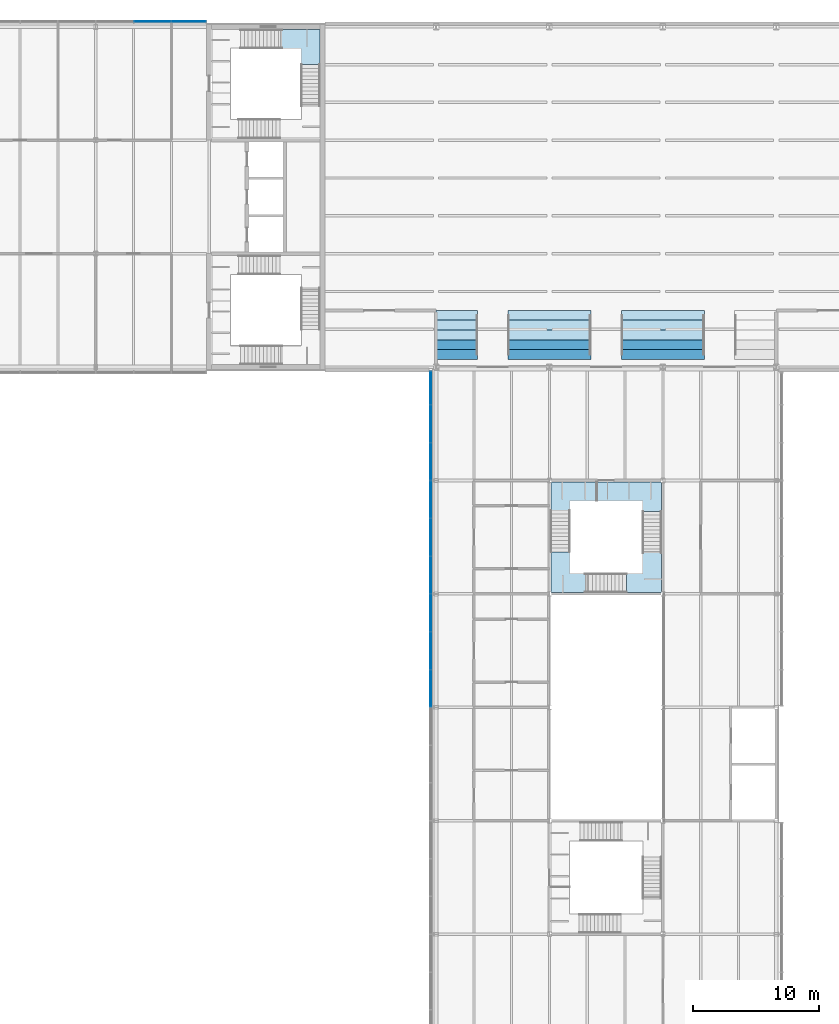
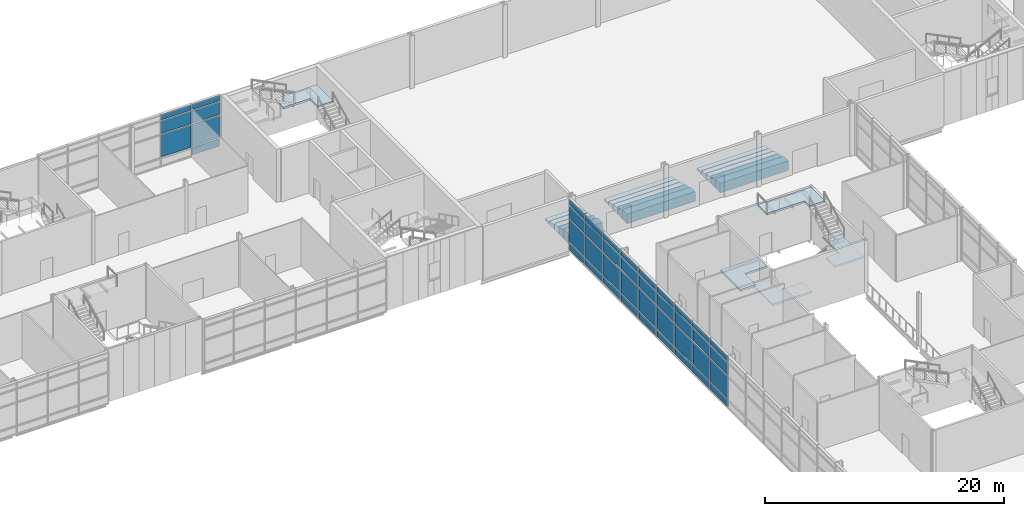
# One storey, part 29 of 52: 43 plates, 20 slabs, 4 elements without a shape of their own.
"""IFC4 building model written with IfcOpenShell, lengths in metres."""

import ifcopenshell
import ifcopenshell.guid

model = None  # the IFC model being written
_history = None  # IfcOwnerHistory: only IFC2X3 demands one
_inside = {}  # id of a spatial element -> (the spatial element, [elements in it])
_under = {}  # id of a project, library or spatial element -> (it, [spatial elements below it])
_declared = {}  # id of a project -> (the project, [libraries it declares])
_typed = {}  # id of a type object -> (the type object, [elements of that type])
_made_of = {}  # id of a material, layer set ... -> (it, [elements and type objects made of it])


def new_model(schema):
    """Start an empty IFC model of exactly this schema.

    Asked for "IFC4X3", IfcOpenShell would pick the latest addendum, in which some entities
    have other attributes; the version numbers below select the first issue.
    IFC2X3 requires an IfcOwnerHistory on every rooted entity: one is made here for all.
    """
    global model, _history
    if schema == "IFC4X3":
        model = ifcopenshell.file(schema_version=(4, 3, 0, 0))
    else:
        model = ifcopenshell.file(schema=schema)
    _inside.clear()
    _under.clear()
    _declared.clear()
    _typed.clear()
    _made_of.clear()
    _history = None
    if model.schema == "IFC2X3":
        org = make("IfcOrganization", Name="unknown")
        user = make(
            "IfcPersonAndOrganization",
            ThePerson=make("IfcPerson", FamilyName="unknown"),
            TheOrganization=org,
        )
        app = make(
            "IfcApplication",
            ApplicationDeveloper=org,
            Version="unknown",
            ApplicationFullName="unknown",
            ApplicationIdentifier="unknown",
        )
        _history = make(
            "IfcOwnerHistory",
            OwningUser=user,
            OwningApplication=app,
            ChangeAction="ADDED",
            CreationDate=0,
        )
    return model


def make(cls, **values):
    """One entity of the class cls with the attributes given. An attribute that is None is left unset."""
    return model.create_entity(
        cls, **{name: value for name, value in values.items() if value is not None}
    )


def rooted(cls, **values):
    """An entity with a GlobalId (a new one), such as an element, a storey or a relation."""
    return make(cls, GlobalId=ifcopenshell.guid.new(), OwnerHistory=_history, **values)


def si_unit(unit_type, name, prefix=None):
    """IfcSIUnit, for example si_unit("LENGTHUNIT", "METRE", prefix="MILLI")."""
    return make("IfcSIUnit", UnitType=unit_type, Prefix=prefix, Name=name)


def assignment(units):
    """IfcUnitAssignment: the units of a project."""
    return None if units is None else make("IfcUnitAssignment", Units=units)


def point(xyz):
    """IfcCartesianPoint."""
    return None if xyz is None else make("IfcCartesianPoint", Coordinates=xyz)


def direction(xyz):
    """IfcDirection."""
    return None if xyz is None else make("IfcDirection", DirectionRatios=xyz)


def frame(location, z_axis=None, x_axis=None):
    """IfcAxis2Placement3D, a coordinate frame: its origin and axes. An axis left out is left unset."""
    return make(
        "IfcAxis2Placement3D",
        Location=point(location),
        Axis=direction(z_axis),
        RefDirection=direction(x_axis),
    )


def frame_2d(location, x_axis=None):
    """IfcAxis2Placement2D, a coordinate frame in the plane: its origin and x axis."""
    return make(
        "IfcAxis2Placement2D", Location=point(location), RefDirection=direction(x_axis)
    )


def origin():
    """The frame at (0, 0, 0) with its axes left unset."""
    return frame((0.0, 0.0, 0.0))


def origin_2d():
    """The frame at (0, 0) in the plane with its x axis left unset."""
    return frame_2d((0.0, 0.0))


def place(relative_to, where):
    """IfcLocalPlacement: puts the frame where relative to a parent placement (None: the world)."""
    return make(
        "IfcLocalPlacement", PlacementRelTo=relative_to, RelativePlacement=where
    )


def context(
    kind, dimensions, precision=None, world=None, true_north=None, identifier=None
):
    """IfcGeometricRepresentationContext, for example the 3D "Model" context."""
    return make(
        "IfcGeometricRepresentationContext",
        ContextIdentifier=identifier,
        ContextType=kind,
        CoordinateSpaceDimension=dimensions,
        Precision=precision,
        WorldCoordinateSystem=world,
        TrueNorth=true_north,
    )


def subcontext(parent, identifier, kind, view, scale=None):
    """IfcGeometricRepresentationSubContext, for example "Body" below "Model"."""
    return make(
        "IfcGeometricRepresentationSubContext",
        ContextIdentifier=identifier,
        ContextType=kind,
        ParentContext=parent,
        TargetScale=scale,
        TargetView=view,
    )


def project(units=None, contexts=None):
    """IfcProject with its units and contexts."""
    return rooted(
        "IfcProject",
        Name="project",
        RepresentationContexts=contexts,
        UnitsInContext=assignment(units),
    )


def spatial(cls, under=None, at=None, **own):
    """A site, building, storey or space (cls), placed at a placement, below another one or the project."""
    s = rooted(cls, ObjectPlacement=at, **own)
    if under is not None:
        _under.setdefault(under.id(), (under, []))[1].append(s)
    return s


def polyline(points):
    """IfcPolyline through the points."""
    return make("IfcPolyline", Points=[point(p) for p in points])


def profile(cls, at=None, kind="AREA", **sizes):
    """A parametric profile (cls). Its sizes go by their IFC names, for example OverallWidth=200.0."""
    return make(cls, ProfileType=kind, Position=at, **sizes)


def rectangle(**sizes):
    """IfcRectangleProfileDef."""
    return profile("IfcRectangleProfileDef", **sizes)


def outline(outer, holes=None, kind="AREA"):
    """IfcArbitraryClosedProfileDef: a profile drawn as a closed curve; with holes, ...WithVoids."""
    if holes is None:
        return make("IfcArbitraryClosedProfileDef", ProfileType=kind, OuterCurve=outer)
    return make(
        "IfcArbitraryProfileDefWithVoids",
        ProfileType=kind,
        OuterCurve=outer,
        InnerCurves=holes,
    )


def extrude(swept, where, along, depth):
    """IfcExtrudedAreaSolid: the profile swept, set in the frame where, extruded along a direction by depth."""
    return make(
        "IfcExtrudedAreaSolid",
        SweptArea=swept,
        Position=where,
        ExtrudedDirection=direction(along),
        Depth=depth,
    )


def shape(context_of_items, identifier, shape_type, items):
    """IfcShapeRepresentation: the items that make up one representation, for example the "Body"."""
    return make(
        "IfcShapeRepresentation",
        ContextOfItems=context_of_items,
        RepresentationIdentifier=identifier,
        RepresentationType=shape_type,
        Items=items,
    )


def material(Name=None, Category=None):
    """IfcMaterial."""
    return make("IfcMaterial", Name=Name, Category=Category)


def layer(
    of_material, thickness, ventilated=None, Name=None, Category=None, Priority=None
):
    """IfcMaterialLayer: one layer of a wall or slab, of a material (None: an air gap)."""
    return make(
        "IfcMaterialLayer",
        Material=of_material,
        LayerThickness=thickness,
        IsVentilated=ventilated,
        Name=Name,
        Category=Category,
        Priority=Priority,
    )


def layer_set(layers, Name=None):
    """IfcMaterialLayerSet."""
    return make("IfcMaterialLayerSet", MaterialLayers=layers, LayerSetName=Name)


def made_of(thing, what):
    """Note that an element or type object is made of a material, layer set ...; save() writes the relation."""
    if what is not None:
        _made_of.setdefault(what.id(), (what, []))[1].append(thing)
    return thing


def type_object(cls, material=None, **own):
    """A type object (cls), such as IfcWallType, which elements share."""
    return made_of(rooted(cls, **own), material)


def element(
    cls,
    number,
    at=None,
    inside=None,
    cuts=None,
    type_object=None,
    material=None,
    context=None,
    identifier="Body",
    shape_type=None,
    held_by="IfcProductDefinitionShape",
    body=None,
    shapes=None,
    **own,
):
    """One element of the class cls, such as IfcWall. Its Tag is "e" and its number.

    at: its placement. inside: the storey or other place that contains it. cuts: it is an
    opening in that element (IfcRelVoidsElement). A single representation is given by context,
    identifier, shape_type and body (its items); several are given by shapes. held_by: the class
    of the entity that holds the representations. save() writes the other relations.
    """
    e = rooted(cls, Tag="e%d" % number, ObjectPlacement=at, **own)
    if body is not None:
        shapes = [shape(context, identifier, shape_type, body)]
    if shapes is not None:
        e.Representation = make(held_by, Representations=shapes)
    if inside is not None:
        _inside.setdefault(inside.id(), (inside, []))[1].append(e)
    if cuts is not None:
        rooted(
            "IfcRelVoidsElement", RelatingBuildingElement=cuts, RelatedOpeningElement=e
        )
    if type_object is not None:
        _typed.setdefault(type_object.id(), (type_object, []))[1].append(e)
    return made_of(e, material)


def aggregate(whole, parts):
    """IfcRelAggregates: a whole, such as a stair, and the parts it consists of."""
    return rooted("IfcRelAggregates", RelatingObject=whole, RelatedObjects=parts)


def save(model, path):
    """Write the relations noted so far, then the file.

    IfcRelAggregates (storeys below a building ...), IfcRelContainedInSpatialStructure (elements
    in a storey), IfcRelDefinesByType, IfcRelAssociatesMaterial and IfcRelDeclares: one each for
    every whole, place, type object, material and project.
    """
    for whole, parts in _under.values():
        aggregate(whole, parts)
    for where, things in _inside.values():
        rooted(
            "IfcRelContainedInSpatialStructure",
            RelatedElements=things,
            RelatingStructure=where,
        )
    for kind, things in _typed.values():
        rooted("IfcRelDefinesByType", RelatedObjects=things, RelatingType=kind)
    for what, things in _made_of.values():
        rooted("IfcRelAssociatesMaterial", RelatedObjects=things, RelatingMaterial=what)
    for by, libraries in _declared.values():
        rooted("IfcRelDeclares", RelatingContext=by, RelatedDefinitions=libraries)
    model.write(path)


model = new_model("IFC4")

# Units and contexts
model_context = context("Model", 3, precision=1e-05, world=origin(), true_north=direction((0.0, 1.0)))
body_context = subcontext(model_context, "Body", "Model", "MODEL_VIEW")
ifc_project = project(units=[si_unit("LENGTHUNIT", "METRE"), si_unit("AREAUNIT", "SQUARE_METRE"), si_unit("VOLUMEUNIT", "CUBIC_METRE"), si_unit("PLANEANGLEUNIT", "RADIAN"), si_unit("MASSUNIT", "GRAM", prefix="KILO")], contexts=[model_context])

# Site, building, storey
site_placement = place(None, origin())
site = spatial("IfcSite", under=ifc_project, at=site_placement, CompositionType="ELEMENT")
building_placement = place(site_placement, origin())
building = spatial("IfcBuilding", under=site, at=building_placement, Name="Azimuth Sports and Learning Centre", CompositionType="ELEMENT")
storey_placement = place(building_placement, frame((0.0, 0.0, 16.199951171875)))
storey = spatial("IfcBuildingStorey", under=building, at=storey_placement, Name="L03", CompositionType="ELEMENT", Elevation=16.199951171875)

# Stair, slab
ifc_material_1 = material(Name="Concrete C32/40", Category="concrete")
stair_type_1 = type_object("IfcStairType", Name="Square-well stair core 5400 storey", PredefinedType="THREE_QUARTER_TURN_STAIR", material=ifc_material_1)
stair_1_placement = place(storey_placement, origin())
stair_1 = element("IfcStair", 1, at=stair_1_placement, inside=storey, type_object=stair_type_1, Name="Stair W2 L03-L04", PredefinedType="THREE_QUARTER_TURN_STAIR")
ifc_material_2 = material(Name="Concrete C32/40", Category="concrete")
ifc_layer_1 = layer(ifc_material_2, 0.199951171875)
ifc_layer_set_1 = layer_set([ifc_layer_1], Name="Concrete C32/40")
slab_type_1 = type_object("IfcSlabType", Name="Concrete stair landing", PredefinedType="LANDING", material=ifc_layer_set_1)
slab_1_placement = place(storey_placement, frame((0.0, 0.0, 3.400146484375)))
slab_1 = element("IfcSlab", 2, at=slab_1_placement, type_object=slab_type_1, Name="Stair W2 L03 landing 3", PredefinedType="LANDING", context=body_context, shape_type="SweptSolid", body=[
    extrude(outline(polyline([(61.2900390625, 115.2900390625), (61.2900390625, 114.00927734375), (62.7900390625, 114.00927734375), (62.7900390625, 116.7900390625), (58.68994140625, 116.7900390625), (58.68994140625, 115.2900390625), (61.2900390625, 115.2900390625)])), origin(), (0.0, 0.0, 1.0), 0.199951171875),
])
aggregate(stair_1, [slab_1])

# Stair, slabs
ifc_material_3 = material(Name="Concrete C32/40", Category="concrete")
stair_type_2 = type_object("IfcStairType", Name="Square-well stair stem cell 5400 storey", PredefinedType="THREE_QUARTER_TURN_STAIR", material=ifc_material_3)
stair_2_placement = place(storey_placement, origin())
stair_2 = element("IfcStair", 3, at=stair_2_placement, inside=storey, type_object=stair_type_2, Name="Stair STD L03-L04", PredefinedType="THREE_QUARTER_TURN_STAIR")
slab_2_placement = place(storey_placement, frame((0.0, 0.0, -0.199951171875)))
slab_2 = element("IfcSlab", 4, at=slab_2_placement, type_object=slab_type_1, Name="Stair STD L03 landing 1", PredefinedType="LANDING", context=body_context, shape_type="SweptSolid", body=[
    extrude(outline(polyline([(82.610107421875, 77.5400390625), (82.610107421875, 79.389892578125), (84.75, 79.389892578125), (84.75, 80.889892578125), (81.110107421875, 80.889892578125), (81.110107421875, 77.5400390625), (82.610107421875, 77.5400390625)])), origin(), (0.0, 0.0, 1.0), 0.199951171875),
])
slab_3_placement = place(storey_placement, frame((0.0, 0.0, 1.60009765625)))
slab_3 = element("IfcSlab", 5, at=slab_3_placement, type_object=slab_type_1, Name="Stair STD L03 landing 2", PredefinedType="LANDING", context=body_context, shape_type="SweptSolid", body=[
    extrude(outline(polyline([(82.610107421875, 73.610107421875), (82.610107421875, 75.3408203125), (81.110107421875, 75.3408203125), (81.110107421875, 72.110107421875), (84.909912109375, 72.110107421875), (84.909912109375, 73.610107421875), (82.610107421875, 73.610107421875)])), origin(), (0.0, 0.0, 1.0), 0.199951171875),
])
slab_4_placement = place(storey_placement, frame((0.0, 0.0, 3.400146484375)))
slab_4 = element("IfcSlab", 6, at=slab_4_placement, type_object=slab_type_1, Name="Stair STD L03 landing 3", PredefinedType="LANDING", context=body_context, shape_type="SweptSolid", body=[
    extrude(outline(polyline([(88.389892578125, 73.610107421875), (87.109375, 73.610107421875), (87.109375, 72.110107421875), (89.889892578125, 72.110107421875), (89.889892578125, 76.360107421875), (88.389892578125, 76.360107421875), (88.389892578125, 73.610107421875)])), origin(), (0.0, 0.0, 1.0), 0.199951171875),
])
slab_5_placement = place(storey_placement, frame((0.0, 0.0, 5.199951171875)))
slab_5 = element("IfcSlab", 7, at=slab_5_placement, type_object=slab_type_1, Name="Stair STD L03 landing 4", PredefinedType="LANDING", context=body_context, shape_type="SweptSolid", body=[
    extrude(outline(polyline([(88.389892578125, 79.389892578125), (88.389892578125, 78.559326171875), (89.889892578125, 78.559326171875), (89.889892578125, 80.889892578125), (84.75, 80.889892578125), (84.75, 79.389892578125), (88.389892578125, 79.389892578125)])), origin(), (0.0, 0.0, 1.0), 0.2001953125),
])
aggregate(stair_2, [slab_2, slab_3, slab_4, slab_5])

# Slabs
ifc_material_4 = material(Name="Retractable bank decking on a telescopic frame")
ifc_layer_2 = layer(ifc_material_4, 1.0)
ifc_layer_set_2 = layer_set([ifc_layer_2], Name="Retractable bank decking on a telescopic frame")
slab_type_2 = type_object("IfcSlabType", Name="Retractable bank step 1000", PredefinedType="FLOOR", material=ifc_layer_set_2)
slab_6_placement = place(storey_placement, origin())
element("IfcSlab", 8, at=slab_6_placement, inside=storey, type_object=slab_type_2, Name="Retractable bank B segment 1 step 5", PredefinedType="FLOOR", context=body_context, shape_type="SweptSolid", body=[
    extrude(outline(polyline([(72.0, 90.60009765625), (75.300048828125, 90.60009765625), (75.300048828125, 91.3798828125), (72.0, 91.3798828125), (72.0, 90.60009765625)])), origin(), (0.0, 0.0, 1.0), 1.0),
])
slab_7_placement = place(storey_placement, origin())
element("IfcSlab", 9, at=slab_7_placement, inside=storey, type_object=slab_type_2, Name="Retractable bank B segment 2 step 5", PredefinedType="FLOOR", context=body_context, shape_type="SweptSolid", body=[
    extrude(outline(polyline([(77.699951171875, 90.60009765625), (84.300048828125, 90.60009765625), (84.300048828125, 91.3798828125), (77.699951171875, 91.3798828125), (77.699951171875, 90.60009765625)])), origin(), (0.0, 0.0, 1.0), 1.0),
])
slab_8_placement = place(storey_placement, origin())
element("IfcSlab", 10, at=slab_8_placement, inside=storey, type_object=slab_type_2, Name="Retractable bank B segment 3 step 5", PredefinedType="FLOOR", context=body_context, shape_type="SweptSolid", body=[
    extrude(outline(polyline([(86.699951171875, 90.60009765625), (93.300048828125, 90.60009765625), (93.300048828125, 91.3798828125), (86.699951171875, 91.3798828125), (86.699951171875, 90.60009765625)])), origin(), (0.0, 0.0, 1.0), 1.0),
])
ifc_material_5 = material(Name="Retractable bank decking on a telescopic frame")
ifc_layer_3 = layer(ifc_material_5, 0.199951171875)
ifc_layer_set_3 = layer_set([ifc_layer_3], Name="Retractable bank decking on a telescopic frame")
slab_type_3 = type_object("IfcSlabType", Name="Retractable bank step 200", PredefinedType="FLOOR", material=ifc_layer_set_3)
slab_9_placement = place(storey_placement, origin())
element("IfcSlab", 11, at=slab_9_placement, inside=storey, type_object=slab_type_3, Name="Retractable bank B segment 1 step 1", PredefinedType="FLOOR", context=body_context, shape_type="SweptSolid", body=[
    extrude(outline(polyline([(72.0, 93.719970703125), (75.300048828125, 93.719970703125), (75.300048828125, 94.5), (72.0, 94.5), (72.0, 93.719970703125)])), origin(), (0.0, 0.0, 1.0), 0.199951171875),
])
slab_10_placement = place(storey_placement, origin())
element("IfcSlab", 12, at=slab_10_placement, inside=storey, type_object=slab_type_3, Name="Retractable bank B segment 2 step 1", PredefinedType="FLOOR", context=body_context, shape_type="SweptSolid", body=[
    extrude(outline(polyline([(77.699951171875, 93.719970703125), (84.300048828125, 93.719970703125), (84.300048828125, 94.5), (77.699951171875, 94.5), (77.699951171875, 93.719970703125)])), origin(), (0.0, 0.0, 1.0), 0.199951171875),
])
slab_11_placement = place(storey_placement, origin())
element("IfcSlab", 13, at=slab_11_placement, inside=storey, type_object=slab_type_3, Name="Retractable bank B segment 3 step 1", PredefinedType="FLOOR", context=body_context, shape_type="SweptSolid", body=[
    extrude(outline(polyline([(86.699951171875, 93.719970703125), (93.300048828125, 93.719970703125), (93.300048828125, 94.5), (86.699951171875, 94.5), (86.699951171875, 93.719970703125)])), origin(), (0.0, 0.0, 1.0), 0.199951171875),
])
ifc_material_6 = material(Name="Retractable bank decking on a telescopic frame")
ifc_layer_4 = layer(ifc_material_6, 0.39990234375)
ifc_layer_set_4 = layer_set([ifc_layer_4], Name="Retractable bank decking on a telescopic frame")
slab_type_4 = type_object("IfcSlabType", Name="Retractable bank step 400", PredefinedType="FLOOR", material=ifc_layer_set_4)
slab_12_placement = place(storey_placement, origin())
element("IfcSlab", 14, at=slab_12_placement, inside=storey, type_object=slab_type_4, Name="Retractable bank B segment 1 step 2", PredefinedType="FLOOR", context=body_context, shape_type="SweptSolid", body=[
    extrude(outline(polyline([(72.0, 92.93994140625), (75.300048828125, 92.93994140625), (75.300048828125, 93.719970703125), (72.0, 93.719970703125), (72.0, 92.93994140625)])), origin(), (0.0, 0.0, 1.0), 0.400146484375),
])
slab_13_placement = place(storey_placement, origin())
element("IfcSlab", 15, at=slab_13_placement, inside=storey, type_object=slab_type_4, Name="Retractable bank B segment 2 step 2", PredefinedType="FLOOR", context=body_context, shape_type="SweptSolid", body=[
    extrude(outline(polyline([(77.699951171875, 92.93994140625), (84.300048828125, 92.93994140625), (84.300048828125, 93.719970703125), (77.699951171875, 93.719970703125), (77.699951171875, 92.93994140625)])), origin(), (0.0, 0.0, 1.0), 0.400146484375),
])
slab_14_placement = place(storey_placement, origin())
element("IfcSlab", 16, at=slab_14_placement, inside=storey, type_object=slab_type_4, Name="Retractable bank B segment 3 step 2", PredefinedType="FLOOR", context=body_context, shape_type="SweptSolid", body=[
    extrude(outline(polyline([(86.699951171875, 92.93994140625), (93.300048828125, 92.93994140625), (93.300048828125, 93.719970703125), (86.699951171875, 93.719970703125), (86.699951171875, 92.93994140625)])), origin(), (0.0, 0.0, 1.0), 0.400146484375),
])
ifc_material_7 = material(Name="Retractable bank decking on a telescopic frame")
ifc_layer_5 = layer(ifc_material_7, 0.60009765625)
ifc_layer_set_5 = layer_set([ifc_layer_5], Name="Retractable bank decking on a telescopic frame")
slab_type_5 = type_object("IfcSlabType", Name="Retractable bank step 600", PredefinedType="FLOOR", material=ifc_layer_set_5)
slab_15_placement = place(storey_placement, origin())
element("IfcSlab", 17, at=slab_15_placement, inside=storey, type_object=slab_type_5, Name="Retractable bank B segment 1 step 3", PredefinedType="FLOOR", context=body_context, shape_type="SweptSolid", body=[
    extrude(outline(polyline([(72.0, 92.159912109375), (75.300048828125, 92.159912109375), (75.300048828125, 92.93994140625), (72.0, 92.93994140625), (72.0, 92.159912109375)])), origin(), (0.0, 0.0, 1.0), 0.60009765625),
])
slab_16_placement = place(storey_placement, origin())
element("IfcSlab", 18, at=slab_16_placement, inside=storey, type_object=slab_type_5, Name="Retractable bank B segment 2 step 3", PredefinedType="FLOOR", context=body_context, shape_type="SweptSolid", body=[
    extrude(outline(polyline([(77.699951171875, 92.159912109375), (84.300048828125, 92.159912109375), (84.300048828125, 92.93994140625), (77.699951171875, 92.93994140625), (77.699951171875, 92.159912109375)])), origin(), (0.0, 0.0, 1.0), 0.60009765625),
])
slab_17_placement = place(storey_placement, origin())
element("IfcSlab", 19, at=slab_17_placement, inside=storey, type_object=slab_type_5, Name="Retractable bank B segment 3 step 3", PredefinedType="FLOOR", context=body_context, shape_type="SweptSolid", body=[
    extrude(outline(polyline([(86.699951171875, 92.159912109375), (93.300048828125, 92.159912109375), (93.300048828125, 92.93994140625), (86.699951171875, 92.93994140625), (86.699951171875, 92.159912109375)])), origin(), (0.0, 0.0, 1.0), 0.60009765625),
])
ifc_material_8 = material(Name="Retractable bank decking on a telescopic frame")
ifc_layer_6 = layer(ifc_material_8, 0.800048828125)
ifc_layer_set_6 = layer_set([ifc_layer_6], Name="Retractable bank decking on a telescopic frame")
slab_type_6 = type_object("IfcSlabType", Name="Retractable bank step 800", PredefinedType="FLOOR", material=ifc_layer_set_6)
slab_18_placement = place(storey_placement, origin())
element("IfcSlab", 20, at=slab_18_placement, inside=storey, type_object=slab_type_6, Name="Retractable bank B segment 1 step 4", PredefinedType="FLOOR", context=body_context, shape_type="SweptSolid", body=[
    extrude(outline(polyline([(72.0, 91.3798828125), (75.300048828125, 91.3798828125), (75.300048828125, 92.159912109375), (72.0, 92.159912109375), (72.0, 91.3798828125)])), origin(), (0.0, 0.0, 1.0), 0.800048828125),
])
slab_19_placement = place(storey_placement, origin())
element("IfcSlab", 21, at=slab_19_placement, inside=storey, type_object=slab_type_6, Name="Retractable bank B segment 2 step 4", PredefinedType="FLOOR", context=body_context, shape_type="SweptSolid", body=[
    extrude(outline(polyline([(77.699951171875, 91.3798828125), (84.300048828125, 91.3798828125), (84.300048828125, 92.159912109375), (77.699951171875, 92.159912109375), (77.699951171875, 91.3798828125)])), origin(), (0.0, 0.0, 1.0), 0.800048828125),
])
slab_20_placement = place(storey_placement, origin())
element("IfcSlab", 22, at=slab_20_placement, inside=storey, type_object=slab_type_6, Name="Retractable bank B segment 3 step 4", PredefinedType="FLOOR", context=body_context, shape_type="SweptSolid", body=[
    extrude(outline(polyline([(86.699951171875, 91.3798828125), (93.300048828125, 91.3798828125), (93.300048828125, 92.159912109375), (86.699951171875, 92.159912109375), (86.699951171875, 91.3798828125)])), origin(), (0.0, 0.0, 1.0), 0.800048828125),
])

# Curtain wall, plates
ifc_material_9 = material(Name="Aluminium and glass", Category="aluminium")
curtain_wall_type_1 = type_object("IfcCurtainWallType", Name="Curtain wall podium stem 240", PredefinedType="NOTDEFINED", material=ifc_material_9)
curtain_wall_1_placement = place(storey_placement, origin())
curtain_wall_1 = element("IfcCurtainWall", 23, at=curtain_wall_1_placement, inside=storey, type_object=curtain_wall_type_1, Name="Curtain wall CW03-003", PredefinedType="NOTDEFINED")
ifc_material_10 = material(Name="Insulated aluminium panel", Category="aluminium")
ifc_layer_7 = layer(ifc_material_10, 0.06005859375)
ifc_layer_set_7 = layer_set([ifc_layer_7], Name="Insulated aluminium panel")
plate_type_1 = type_object("IfcPlateType", Name="Spandrel panel 60 mm", PredefinedType="CURTAIN_PANEL", material=ifc_layer_set_7)
plate_1_placement = place(storey_placement, frame((71.580078125, 88.330078125, 0.1201171875), z_axis=(0.0, 0.0, 1.0), x_axis=(0.0, -1.0, 0.0)))
plate_1 = element("IfcPlate", 24, at=plate_1_placement, type_object=plate_type_1, Name="CW03-003 panel 1.1", PredefinedType="CURTAIN_PANEL", context=body_context, shape_type="SweptSolid", body=[
    extrude(rectangle(XDim=2.580078125, YDim=0.06005859375, at=origin_2d()), origin(), (0.0, 0.0, 1.0), 0.719970703125),
])
plate_2_placement = place(storey_placement, frame((71.580078125, 88.330078125, 4.760009765625), z_axis=(0.0, 0.0, 1.0), x_axis=(0.0, -1.0, 0.0)))
plate_2 = element("IfcPlate", 25, at=plate_2_placement, type_object=plate_type_1, Name="CW03-003 panel 1.4", PredefinedType="CURTAIN_PANEL", context=body_context, shape_type="SweptSolid", body=[
    extrude(rectangle(XDim=2.580078125, YDim=0.06005859375, at=origin_2d()), origin(), (0.0, 0.0, 1.0), 0.52001953125),
])
plate_3_placement = place(storey_placement, frame((71.580078125, 85.5, 0.1201171875), z_axis=(0.0, 0.0, 1.0), x_axis=(0.0, -1.0, 0.0)))
plate_3 = element("IfcPlate", 26, at=plate_3_placement, type_object=plate_type_1, Name="CW03-003 panel 2.1", PredefinedType="CURTAIN_PANEL", context=body_context, shape_type="SweptSolid", body=[
    extrude(rectangle(XDim=2.919921875, YDim=0.06005859375, at=origin_2d()), origin(), (0.0, 0.0, 1.0), 0.719970703125),
])
plate_4_placement = place(storey_placement, frame((71.580078125, 85.5, 4.760009765625), z_axis=(0.0, 0.0, 1.0), x_axis=(0.0, -1.0, 0.0)))
plate_4 = element("IfcPlate", 27, at=plate_4_placement, type_object=plate_type_1, Name="CW03-003 panel 2.4", PredefinedType="CURTAIN_PANEL", context=body_context, shape_type="SweptSolid", body=[
    extrude(rectangle(XDim=2.919921875, YDim=0.06005859375, at=origin_2d()), origin(), (0.0, 0.0, 1.0), 0.52001953125),
])
plate_5_placement = place(storey_placement, frame((71.580078125, 82.5, 0.1201171875), z_axis=(0.0, 0.0, 1.0), x_axis=(0.0, -1.0, 0.0)))
plate_5 = element("IfcPlate", 28, at=plate_5_placement, type_object=plate_type_1, Name="CW03-003 panel 3.1", PredefinedType="CURTAIN_PANEL", context=body_context, shape_type="SweptSolid", body=[
    extrude(rectangle(XDim=2.919921875, YDim=0.06005859375, at=origin_2d()), origin(), (0.0, 0.0, 1.0), 0.719970703125),
])
plate_6_placement = place(storey_placement, frame((71.580078125, 82.5, 4.760009765625), z_axis=(0.0, 0.0, 1.0), x_axis=(0.0, -1.0, 0.0)))
plate_6 = element("IfcPlate", 29, at=plate_6_placement, type_object=plate_type_1, Name="CW03-003 panel 3.4", PredefinedType="CURTAIN_PANEL", context=body_context, shape_type="SweptSolid", body=[
    extrude(rectangle(XDim=2.919921875, YDim=0.06005859375, at=origin_2d()), origin(), (0.0, 0.0, 1.0), 0.52001953125),
])
plate_7_placement = place(storey_placement, frame((71.580078125, 79.5, 0.1201171875), z_axis=(0.0, 0.0, 1.0), x_axis=(0.0, -1.0, 0.0)))
plate_7 = element("IfcPlate", 30, at=plate_7_placement, type_object=plate_type_1, Name="CW03-003 panel 4.1", PredefinedType="CURTAIN_PANEL", context=body_context, shape_type="SweptSolid", body=[
    extrude(rectangle(XDim=2.919921875, YDim=0.06005859375, at=origin_2d()), origin(), (0.0, 0.0, 1.0), 0.719970703125),
])
plate_8_placement = place(storey_placement, frame((71.580078125, 79.5, 4.760009765625), z_axis=(0.0, 0.0, 1.0), x_axis=(0.0, -1.0, 0.0)))
plate_8 = element("IfcPlate", 31, at=plate_8_placement, type_object=plate_type_1, Name="CW03-003 panel 4.4", PredefinedType="CURTAIN_PANEL", context=body_context, shape_type="SweptSolid", body=[
    extrude(rectangle(XDim=2.919921875, YDim=0.06005859375, at=origin_2d()), origin(), (0.0, 0.0, 1.0), 0.52001953125),
])
plate_9_placement = place(storey_placement, frame((71.580078125, 76.5, 0.1201171875), z_axis=(0.0, 0.0, 1.0), x_axis=(0.0, -1.0, 0.0)))
plate_9 = element("IfcPlate", 32, at=plate_9_placement, type_object=plate_type_1, Name="CW03-003 panel 5.1", PredefinedType="CURTAIN_PANEL", context=body_context, shape_type="SweptSolid", body=[
    extrude(rectangle(XDim=2.919921875, YDim=0.06005859375, at=origin_2d()), origin(), (0.0, 0.0, 1.0), 0.719970703125),
])
plate_10_placement = place(storey_placement, frame((71.580078125, 76.5, 4.760009765625), z_axis=(0.0, 0.0, 1.0), x_axis=(0.0, -1.0, 0.0)))
plate_10 = element("IfcPlate", 33, at=plate_10_placement, type_object=plate_type_1, Name="CW03-003 panel 5.4", PredefinedType="CURTAIN_PANEL", context=body_context, shape_type="SweptSolid", body=[
    extrude(rectangle(XDim=2.919921875, YDim=0.06005859375, at=origin_2d()), origin(), (0.0, 0.0, 1.0), 0.52001953125),
])
plate_11_placement = place(storey_placement, frame((71.580078125, 73.5, 0.1201171875), z_axis=(0.0, 0.0, 1.0), x_axis=(0.0, -1.0, 0.0)))
plate_11 = element("IfcPlate", 34, at=plate_11_placement, type_object=plate_type_1, Name="CW03-003 panel 6.1", PredefinedType="CURTAIN_PANEL", context=body_context, shape_type="SweptSolid", body=[
    extrude(rectangle(XDim=2.919921875, YDim=0.06005859375, at=origin_2d()), origin(), (0.0, 0.0, 1.0), 0.719970703125),
])
plate_12_placement = place(storey_placement, frame((71.580078125, 73.5, 4.760009765625), z_axis=(0.0, 0.0, 1.0), x_axis=(0.0, -1.0, 0.0)))
plate_12 = element("IfcPlate", 35, at=plate_12_placement, type_object=plate_type_1, Name="CW03-003 panel 6.4", PredefinedType="CURTAIN_PANEL", context=body_context, shape_type="SweptSolid", body=[
    extrude(rectangle(XDim=2.919921875, YDim=0.06005859375, at=origin_2d()), origin(), (0.0, 0.0, 1.0), 0.52001953125),
])
plate_13_placement = place(storey_placement, frame((71.580078125, 70.5, 0.1201171875), z_axis=(0.0, 0.0, 1.0), x_axis=(0.0, -1.0, 0.0)))
plate_13 = element("IfcPlate", 36, at=plate_13_placement, type_object=plate_type_1, Name="CW03-003 panel 7.1", PredefinedType="CURTAIN_PANEL", context=body_context, shape_type="SweptSolid", body=[
    extrude(rectangle(XDim=2.919921875, YDim=0.06005859375, at=origin_2d()), origin(), (0.0, 0.0, 1.0), 0.719970703125),
])
plate_14_placement = place(storey_placement, frame((71.580078125, 70.5, 4.760009765625), z_axis=(0.0, 0.0, 1.0), x_axis=(0.0, -1.0, 0.0)))
plate_14 = element("IfcPlate", 37, at=plate_14_placement, type_object=plate_type_1, Name="CW03-003 panel 7.4", PredefinedType="CURTAIN_PANEL", context=body_context, shape_type="SweptSolid", body=[
    extrude(rectangle(XDim=2.919921875, YDim=0.06005859375, at=origin_2d()), origin(), (0.0, 0.0, 1.0), 0.52001953125),
])
plate_15_placement = place(storey_placement, frame((71.580078125, 67.5, 0.1201171875), z_axis=(0.0, 0.0, 1.0), x_axis=(0.0, -1.0, 0.0)))
plate_15 = element("IfcPlate", 38, at=plate_15_placement, type_object=plate_type_1, Name="CW03-003 panel 8.1", PredefinedType="CURTAIN_PANEL", context=body_context, shape_type="SweptSolid", body=[
    extrude(rectangle(XDim=2.919921875, YDim=0.06005859375, at=origin_2d()), origin(), (0.0, 0.0, 1.0), 0.719970703125),
])
plate_16_placement = place(storey_placement, frame((71.580078125, 67.5, 4.760009765625), z_axis=(0.0, 0.0, 1.0), x_axis=(0.0, -1.0, 0.0)))
plate_16 = element("IfcPlate", 39, at=plate_16_placement, type_object=plate_type_1, Name="CW03-003 panel 8.4", PredefinedType="CURTAIN_PANEL", context=body_context, shape_type="SweptSolid", body=[
    extrude(rectangle(XDim=2.919921875, YDim=0.06005859375, at=origin_2d()), origin(), (0.0, 0.0, 1.0), 0.52001953125),
])
plate_17_placement = place(storey_placement, frame((71.580078125, 64.5, 0.1201171875), z_axis=(0.0, 0.0, 1.0), x_axis=(0.0, -1.0, 0.0)))
plate_17 = element("IfcPlate", 40, at=plate_17_placement, type_object=plate_type_1, Name="CW03-003 panel 9.1", PredefinedType="CURTAIN_PANEL", context=body_context, shape_type="SweptSolid", body=[
    extrude(rectangle(XDim=2.919921875, YDim=0.06005859375, at=origin_2d()), origin(), (0.0, 0.0, 1.0), 0.719970703125),
])
plate_18_placement = place(storey_placement, frame((71.580078125, 64.5, 4.760009765625), z_axis=(0.0, 0.0, 1.0), x_axis=(0.0, -1.0, 0.0)))
plate_18 = element("IfcPlate", 41, at=plate_18_placement, type_object=plate_type_1, Name="CW03-003 panel 9.4", PredefinedType="CURTAIN_PANEL", context=body_context, shape_type="SweptSolid", body=[
    extrude(rectangle(XDim=2.919921875, YDim=0.06005859375, at=origin_2d()), origin(), (0.0, 0.0, 1.0), 0.52001953125),
])

ifc_material_11 = material(Name="Aluminium and glass", Category="aluminium")
curtain_wall_type_2 = type_object("IfcCurtainWallType", Name="Curtain wall podium wing 240", PredefinedType="NOTDEFINED", material=ifc_material_11)
curtain_wall_2_placement = place(storey_placement, origin())
curtain_wall_2 = element("IfcCurtainWall", 42, at=curtain_wall_2_placement, inside=storey, type_object=curtain_wall_type_2, Name="Curtain wall CW03-013", PredefinedType="NOTDEFINED")
plate_19_placement = place(storey_placement, frame((52.3798828125, 117.419921875, 0.1201171875), z_axis=(0.0, 0.0, 1.0), x_axis=(-1.0, 0.0, 0.0)))
plate_19 = element("IfcPlate", 43, at=plate_19_placement, type_object=plate_type_1, Name="CW03-013 panel 1.1", PredefinedType="CURTAIN_PANEL", context=body_context, shape_type="SweptSolid", body=[
    extrude(rectangle(XDim=2.679931640625, YDim=0.06005859375, at=origin_2d()), origin(), (0.0, 0.0, 1.0), 0.719970703125),
])
plate_20_placement = place(storey_placement, frame((52.3798828125, 117.419921875, 4.760009765625), z_axis=(0.0, 0.0, 1.0), x_axis=(-1.0, 0.0, 0.0)))
plate_20 = element("IfcPlate", 44, at=plate_20_placement, type_object=plate_type_1, Name="CW03-013 panel 1.4", PredefinedType="CURTAIN_PANEL", context=body_context, shape_type="SweptSolid", body=[
    extrude(rectangle(XDim=2.679931640625, YDim=0.06005859375, at=origin_2d()), origin(), (0.0, 0.0, 1.0), 0.52001953125),
])
plate_21_placement = place(storey_placement, frame((49.5, 117.419921875, 4.760009765625), z_axis=(0.0, 0.0, 1.0), x_axis=(-1.0, 0.0, 0.0)))
plate_21 = element("IfcPlate", 45, at=plate_21_placement, type_object=plate_type_1, Name="CW03-013 panel 2.4", PredefinedType="CURTAIN_PANEL", context=body_context, shape_type="SweptSolid", body=[
    extrude(rectangle(XDim=2.919921875, YDim=0.06005859375, at=origin_2d()), origin(), (0.0, 0.0, 1.0), 0.52001953125),
])

# Plate
ifc_material_12 = material(Name="Glass", Category="glass")
ifc_layer_8 = layer(ifc_material_12, 0.0439453125)
ifc_layer_set_8 = layer_set([ifc_layer_8], Name="Glass")
plate_type_2 = type_object("IfcPlateType", Name="Vision glass 44 mm", PredefinedType="CURTAIN_PANEL", material=ifc_layer_set_8)
plate_22_placement = place(storey_placement, frame((71.580078125, 88.330078125, 0.9599609375), z_axis=(0.0, 0.0, 1.0), x_axis=(0.0, -1.0, 0.0)))
plate_22 = element("IfcPlate", 46, at=plate_22_placement, type_object=plate_type_2, Name="CW03-003 panel 1.2", PredefinedType="CURTAIN_PANEL", context=body_context, shape_type="SweptSolid", body=[
    extrude(rectangle(XDim=2.580078125, YDim=0.0439453125, at=origin_2d()), origin(), (0.0, 0.0, 1.0), 2.280029296875),
])

plate_23_placement = place(storey_placement, frame((71.580078125, 88.330078125, 3.35986328125), z_axis=(0.0, 0.0, 1.0), x_axis=(0.0, -1.0, 0.0)))
plate_23 = element("IfcPlate", 47, at=plate_23_placement, type_object=plate_type_2, Name="CW03-003 panel 1.3", PredefinedType="CURTAIN_PANEL", context=body_context, shape_type="SweptSolid", body=[
    extrude(rectangle(XDim=2.580078125, YDim=0.0439453125, at=origin_2d()), origin(), (0.0, 0.0, 1.0), 1.280029296875),
])

plate_24_placement = place(storey_placement, frame((71.580078125, 85.5, 0.9599609375), z_axis=(0.0, 0.0, 1.0), x_axis=(0.0, -1.0, 0.0)))
plate_24 = element("IfcPlate", 48, at=plate_24_placement, type_object=plate_type_2, Name="CW03-003 panel 2.2", PredefinedType="CURTAIN_PANEL", context=body_context, shape_type="SweptSolid", body=[
    extrude(rectangle(XDim=2.919921875, YDim=0.0439453125, at=origin_2d()), origin(), (0.0, 0.0, 1.0), 2.280029296875),
])

plate_25_placement = place(storey_placement, frame((71.580078125, 85.5, 3.35986328125), z_axis=(0.0, 0.0, 1.0), x_axis=(0.0, -1.0, 0.0)))
plate_25 = element("IfcPlate", 49, at=plate_25_placement, type_object=plate_type_2, Name="CW03-003 panel 2.3", PredefinedType="CURTAIN_PANEL", context=body_context, shape_type="SweptSolid", body=[
    extrude(rectangle(XDim=2.919921875, YDim=0.0439453125, at=origin_2d()), origin(), (0.0, 0.0, 1.0), 1.280029296875),
])

plate_26_placement = place(storey_placement, frame((71.580078125, 82.5, 0.9599609375), z_axis=(0.0, 0.0, 1.0), x_axis=(0.0, -1.0, 0.0)))
plate_26 = element("IfcPlate", 50, at=plate_26_placement, type_object=plate_type_2, Name="CW03-003 panel 3.2", PredefinedType="CURTAIN_PANEL", context=body_context, shape_type="SweptSolid", body=[
    extrude(rectangle(XDim=2.919921875, YDim=0.0439453125, at=origin_2d()), origin(), (0.0, 0.0, 1.0), 2.280029296875),
])

plate_27_placement = place(storey_placement, frame((71.580078125, 82.5, 3.35986328125), z_axis=(0.0, 0.0, 1.0), x_axis=(0.0, -1.0, 0.0)))
plate_27 = element("IfcPlate", 51, at=plate_27_placement, type_object=plate_type_2, Name="CW03-003 panel 3.3", PredefinedType="CURTAIN_PANEL", context=body_context, shape_type="SweptSolid", body=[
    extrude(rectangle(XDim=2.919921875, YDim=0.0439453125, at=origin_2d()), origin(), (0.0, 0.0, 1.0), 1.280029296875),
])

plate_28_placement = place(storey_placement, frame((71.580078125, 79.5, 0.9599609375), z_axis=(0.0, 0.0, 1.0), x_axis=(0.0, -1.0, 0.0)))
plate_28 = element("IfcPlate", 52, at=plate_28_placement, type_object=plate_type_2, Name="CW03-003 panel 4.2", PredefinedType="CURTAIN_PANEL", context=body_context, shape_type="SweptSolid", body=[
    extrude(rectangle(XDim=2.919921875, YDim=0.0439453125, at=origin_2d()), origin(), (0.0, 0.0, 1.0), 2.280029296875),
])

plate_29_placement = place(storey_placement, frame((71.580078125, 79.5, 3.35986328125), z_axis=(0.0, 0.0, 1.0), x_axis=(0.0, -1.0, 0.0)))
plate_29 = element("IfcPlate", 53, at=plate_29_placement, type_object=plate_type_2, Name="CW03-003 panel 4.3", PredefinedType="CURTAIN_PANEL", context=body_context, shape_type="SweptSolid", body=[
    extrude(rectangle(XDim=2.919921875, YDim=0.0439453125, at=origin_2d()), origin(), (0.0, 0.0, 1.0), 1.280029296875),
])

plate_30_placement = place(storey_placement, frame((71.580078125, 76.5, 0.9599609375), z_axis=(0.0, 0.0, 1.0), x_axis=(0.0, -1.0, 0.0)))
plate_30 = element("IfcPlate", 54, at=plate_30_placement, type_object=plate_type_2, Name="CW03-003 panel 5.2", PredefinedType="CURTAIN_PANEL", context=body_context, shape_type="SweptSolid", body=[
    extrude(rectangle(XDim=2.919921875, YDim=0.0439453125, at=origin_2d()), origin(), (0.0, 0.0, 1.0), 2.280029296875),
])

plate_31_placement = place(storey_placement, frame((71.580078125, 76.5, 3.35986328125), z_axis=(0.0, 0.0, 1.0), x_axis=(0.0, -1.0, 0.0)))
plate_31 = element("IfcPlate", 55, at=plate_31_placement, type_object=plate_type_2, Name="CW03-003 panel 5.3", PredefinedType="CURTAIN_PANEL", context=body_context, shape_type="SweptSolid", body=[
    extrude(rectangle(XDim=2.919921875, YDim=0.0439453125, at=origin_2d()), origin(), (0.0, 0.0, 1.0), 1.280029296875),
])

plate_32_placement = place(storey_placement, frame((71.580078125, 73.5, 0.9599609375), z_axis=(0.0, 0.0, 1.0), x_axis=(0.0, -1.0, 0.0)))
plate_32 = element("IfcPlate", 56, at=plate_32_placement, type_object=plate_type_2, Name="CW03-003 panel 6.2", PredefinedType="CURTAIN_PANEL", context=body_context, shape_type="SweptSolid", body=[
    extrude(rectangle(XDim=2.919921875, YDim=0.0439453125, at=origin_2d()), origin(), (0.0, 0.0, 1.0), 2.280029296875),
])

plate_33_placement = place(storey_placement, frame((71.580078125, 73.5, 3.35986328125), z_axis=(0.0, 0.0, 1.0), x_axis=(0.0, -1.0, 0.0)))
plate_33 = element("IfcPlate", 57, at=plate_33_placement, type_object=plate_type_2, Name="CW03-003 panel 6.3", PredefinedType="CURTAIN_PANEL", context=body_context, shape_type="SweptSolid", body=[
    extrude(rectangle(XDim=2.919921875, YDim=0.0439453125, at=origin_2d()), origin(), (0.0, 0.0, 1.0), 1.280029296875),
])

plate_34_placement = place(storey_placement, frame((71.580078125, 70.5, 0.9599609375), z_axis=(0.0, 0.0, 1.0), x_axis=(0.0, -1.0, 0.0)))
plate_34 = element("IfcPlate", 58, at=plate_34_placement, type_object=plate_type_2, Name="CW03-003 panel 7.2", PredefinedType="CURTAIN_PANEL", context=body_context, shape_type="SweptSolid", body=[
    extrude(rectangle(XDim=2.919921875, YDim=0.0439453125, at=origin_2d()), origin(), (0.0, 0.0, 1.0), 2.280029296875),
])

plate_35_placement = place(storey_placement, frame((71.580078125, 70.5, 3.35986328125), z_axis=(0.0, 0.0, 1.0), x_axis=(0.0, -1.0, 0.0)))
plate_35 = element("IfcPlate", 59, at=plate_35_placement, type_object=plate_type_2, Name="CW03-003 panel 7.3", PredefinedType="CURTAIN_PANEL", context=body_context, shape_type="SweptSolid", body=[
    extrude(rectangle(XDim=2.919921875, YDim=0.0439453125, at=origin_2d()), origin(), (0.0, 0.0, 1.0), 1.280029296875),
])

plate_36_placement = place(storey_placement, frame((71.580078125, 67.5, 0.9599609375), z_axis=(0.0, 0.0, 1.0), x_axis=(0.0, -1.0, 0.0)))
plate_36 = element("IfcPlate", 60, at=plate_36_placement, type_object=plate_type_2, Name="CW03-003 panel 8.2", PredefinedType="CURTAIN_PANEL", context=body_context, shape_type="SweptSolid", body=[
    extrude(rectangle(XDim=2.919921875, YDim=0.0439453125, at=origin_2d()), origin(), (0.0, 0.0, 1.0), 2.280029296875),
])

plate_37_placement = place(storey_placement, frame((71.580078125, 67.5, 3.35986328125), z_axis=(0.0, 0.0, 1.0), x_axis=(0.0, -1.0, 0.0)))
plate_37 = element("IfcPlate", 61, at=plate_37_placement, type_object=plate_type_2, Name="CW03-003 panel 8.3", PredefinedType="CURTAIN_PANEL", context=body_context, shape_type="SweptSolid", body=[
    extrude(rectangle(XDim=2.919921875, YDim=0.0439453125, at=origin_2d()), origin(), (0.0, 0.0, 1.0), 1.280029296875),
])

plate_38_placement = place(storey_placement, frame((71.580078125, 64.5, 0.9599609375), z_axis=(0.0, 0.0, 1.0), x_axis=(0.0, -1.0, 0.0)))
plate_38 = element("IfcPlate", 62, at=plate_38_placement, type_object=plate_type_2, Name="CW03-003 panel 9.2", PredefinedType="CURTAIN_PANEL", context=body_context, shape_type="SweptSolid", body=[
    extrude(rectangle(XDim=2.919921875, YDim=0.0439453125, at=origin_2d()), origin(), (0.0, 0.0, 1.0), 2.280029296875),
])

plate_39_placement = place(storey_placement, frame((71.580078125, 64.5, 3.35986328125), z_axis=(0.0, 0.0, 1.0), x_axis=(0.0, -1.0, 0.0)))
plate_39 = element("IfcPlate", 63, at=plate_39_placement, type_object=plate_type_2, Name="CW03-003 panel 9.3", PredefinedType="CURTAIN_PANEL", context=body_context, shape_type="SweptSolid", body=[
    extrude(rectangle(XDim=2.919921875, YDim=0.0439453125, at=origin_2d()), origin(), (0.0, 0.0, 1.0), 1.280029296875),
])

aggregate(curtain_wall_1, [plate_1, plate_22, plate_23, plate_2, plate_3, plate_24, plate_25, plate_4, plate_5, plate_26, plate_27, plate_6, plate_7, plate_28, plate_29, plate_8, plate_9, plate_30, plate_31, plate_10, plate_11, plate_32, plate_33, plate_12, plate_13, plate_34, plate_35, plate_14, plate_15, plate_36, plate_37, plate_16, plate_17, plate_38, plate_39, plate_18])

plate_40_placement = place(storey_placement, frame((52.3798828125, 117.419921875, 0.9599609375), z_axis=(0.0, 0.0, 1.0), x_axis=(-1.0, 0.0, 0.0)))
plate_40 = element("IfcPlate", 64, at=plate_40_placement, type_object=plate_type_2, Name="CW03-013 panel 1.2", PredefinedType="CURTAIN_PANEL", context=body_context, shape_type="SweptSolid", body=[
    extrude(rectangle(XDim=2.679931640625, YDim=0.0439453125, at=origin_2d()), origin(), (0.0, 0.0, 1.0), 2.280029296875),
])

plate_41_placement = place(storey_placement, frame((52.3798828125, 117.419921875, 3.35986328125), z_axis=(0.0, 0.0, 1.0), x_axis=(-1.0, 0.0, 0.0)))
plate_41 = element("IfcPlate", 65, at=plate_41_placement, type_object=plate_type_2, Name="CW03-013 panel 1.3", PredefinedType="CURTAIN_PANEL", context=body_context, shape_type="SweptSolid", body=[
    extrude(rectangle(XDim=2.679931640625, YDim=0.0439453125, at=origin_2d()), origin(), (0.0, 0.0, 1.0), 1.280029296875),
])

plate_42_placement = place(storey_placement, frame((49.5, 117.419921875, 0.9599609375), z_axis=(0.0, 0.0, 1.0), x_axis=(-1.0, 0.0, 0.0)))
plate_42 = element("IfcPlate", 66, at=plate_42_placement, type_object=plate_type_2, Name="CW03-013 panel 2.2", PredefinedType="CURTAIN_PANEL", context=body_context, shape_type="SweptSolid", body=[
    extrude(rectangle(XDim=2.919921875, YDim=0.0439453125, at=origin_2d()), origin(), (0.0, 0.0, 1.0), 2.280029296875),
])

plate_43_placement = place(storey_placement, frame((49.5, 117.419921875, 3.35986328125), z_axis=(0.0, 0.0, 1.0), x_axis=(-1.0, 0.0, 0.0)))
plate_43 = element("IfcPlate", 67, at=plate_43_placement, type_object=plate_type_2, Name="CW03-013 panel 2.3", PredefinedType="CURTAIN_PANEL", context=body_context, shape_type="SweptSolid", body=[
    extrude(rectangle(XDim=2.919921875, YDim=0.0439453125, at=origin_2d()), origin(), (0.0, 0.0, 1.0), 1.280029296875),
])

aggregate(curtain_wall_2, [plate_19, plate_40, plate_41, plate_20, plate_42, plate_43, plate_21])

save(model, "model.ifc")
